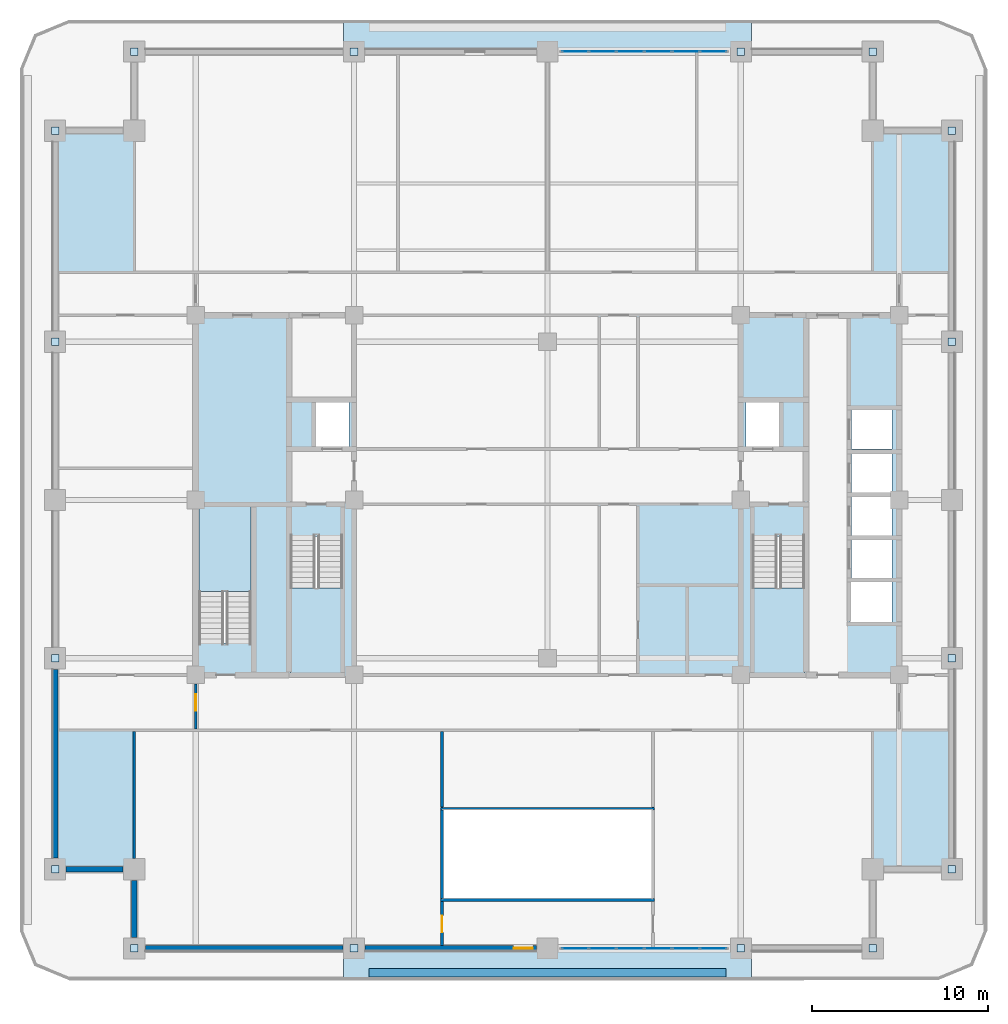
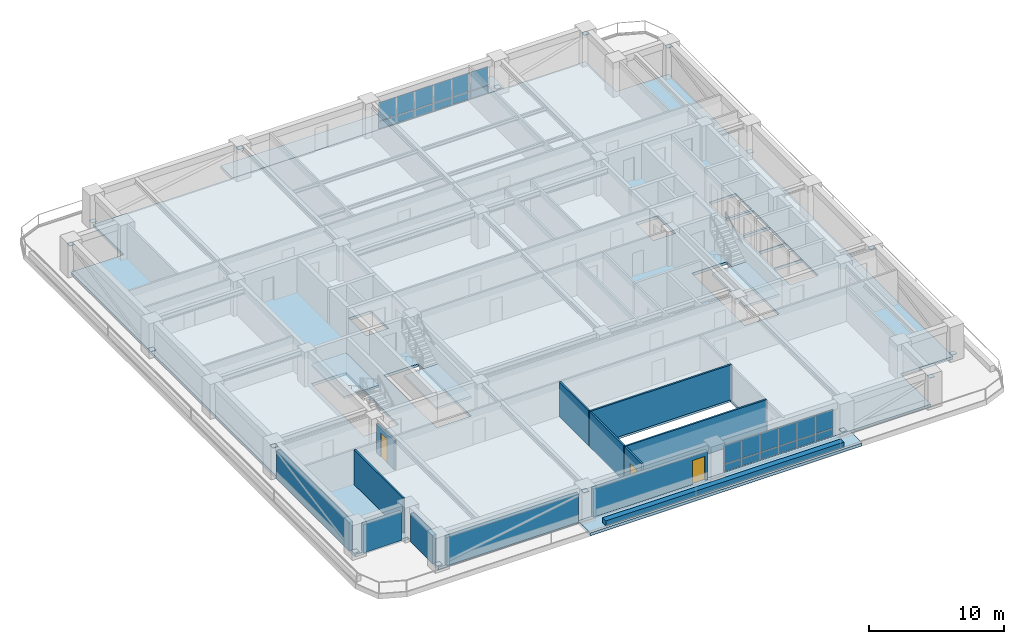
# One storey, part 7 of 17: 40 plates, 13 walls, 6 slabs, 3 doors, 3 openings, 5 elements without a shape of their own.
"""IFC4 building model written with IfcOpenShell, lengths in metres."""

import ifcopenshell
import ifcopenshell.guid

model = None  # the IFC model being written
_history = None  # IfcOwnerHistory: only IFC2X3 demands one
_inside = {}  # id of a spatial element -> (the spatial element, [elements in it])
_under = {}  # id of a project, library or spatial element -> (it, [spatial elements below it])
_declared = {}  # id of a project -> (the project, [libraries it declares])
_typed = {}  # id of a type object -> (the type object, [elements of that type])
_made_of = {}  # id of a material, layer set ... -> (it, [elements and type objects made of it])


def new_model(schema):
    """Start an empty IFC model of exactly this schema.

    Asked for "IFC4X3", IfcOpenShell would pick the latest addendum, in which some entities
    have other attributes; the version numbers below select the first issue.
    IFC2X3 requires an IfcOwnerHistory on every rooted entity: one is made here for all.
    """
    global model, _history
    if schema == "IFC4X3":
        model = ifcopenshell.file(schema_version=(4, 3, 0, 0))
    else:
        model = ifcopenshell.file(schema=schema)
    _inside.clear()
    _under.clear()
    _declared.clear()
    _typed.clear()
    _made_of.clear()
    _history = None
    if model.schema == "IFC2X3":
        org = make("IfcOrganization", Name="unknown")
        user = make(
            "IfcPersonAndOrganization",
            ThePerson=make("IfcPerson", FamilyName="unknown"),
            TheOrganization=org,
        )
        app = make(
            "IfcApplication",
            ApplicationDeveloper=org,
            Version="unknown",
            ApplicationFullName="unknown",
            ApplicationIdentifier="unknown",
        )
        _history = make(
            "IfcOwnerHistory",
            OwningUser=user,
            OwningApplication=app,
            ChangeAction="ADDED",
            CreationDate=0,
        )
    return model


def make(cls, **values):
    """One entity of the class cls with the attributes given. An attribute that is None is left unset."""
    return model.create_entity(
        cls, **{name: value for name, value in values.items() if value is not None}
    )


def rooted(cls, **values):
    """An entity with a GlobalId (a new one), such as an element, a storey or a relation."""
    return make(cls, GlobalId=ifcopenshell.guid.new(), OwnerHistory=_history, **values)


def si_unit(unit_type, name, prefix=None):
    """IfcSIUnit, for example si_unit("LENGTHUNIT", "METRE", prefix="MILLI")."""
    return make("IfcSIUnit", UnitType=unit_type, Prefix=prefix, Name=name)


def assignment(units):
    """IfcUnitAssignment: the units of a project."""
    return None if units is None else make("IfcUnitAssignment", Units=units)


def point(xyz):
    """IfcCartesianPoint."""
    return None if xyz is None else make("IfcCartesianPoint", Coordinates=xyz)


def direction(xyz):
    """IfcDirection."""
    return None if xyz is None else make("IfcDirection", DirectionRatios=xyz)


def frame(location, z_axis=None, x_axis=None):
    """IfcAxis2Placement3D, a coordinate frame: its origin and axes. An axis left out is left unset."""
    return make(
        "IfcAxis2Placement3D",
        Location=point(location),
        Axis=direction(z_axis),
        RefDirection=direction(x_axis),
    )


def frame_2d(location, x_axis=None):
    """IfcAxis2Placement2D, a coordinate frame in the plane: its origin and x axis."""
    return make(
        "IfcAxis2Placement2D", Location=point(location), RefDirection=direction(x_axis)
    )


def origin():
    """The frame at (0, 0, 0) with its axes left unset."""
    return frame((0.0, 0.0, 0.0))


def origin_2d():
    """The frame at (0, 0) in the plane with its x axis left unset."""
    return frame_2d((0.0, 0.0))


def place(relative_to, where):
    """IfcLocalPlacement: puts the frame where relative to a parent placement (None: the world)."""
    return make(
        "IfcLocalPlacement", PlacementRelTo=relative_to, RelativePlacement=where
    )


def context(
    kind, dimensions, precision=None, world=None, true_north=None, identifier=None
):
    """IfcGeometricRepresentationContext, for example the 3D "Model" context."""
    return make(
        "IfcGeometricRepresentationContext",
        ContextIdentifier=identifier,
        ContextType=kind,
        CoordinateSpaceDimension=dimensions,
        Precision=precision,
        WorldCoordinateSystem=world,
        TrueNorth=true_north,
    )


def subcontext(parent, identifier, kind, view, scale=None):
    """IfcGeometricRepresentationSubContext, for example "Body" below "Model"."""
    return make(
        "IfcGeometricRepresentationSubContext",
        ContextIdentifier=identifier,
        ContextType=kind,
        ParentContext=parent,
        TargetScale=scale,
        TargetView=view,
    )


def project(units=None, contexts=None):
    """IfcProject with its units and contexts."""
    return rooted(
        "IfcProject",
        Name="project",
        RepresentationContexts=contexts,
        UnitsInContext=assignment(units),
    )


def spatial(cls, under=None, at=None, **own):
    """A site, building, storey or space (cls), placed at a placement, below another one or the project."""
    s = rooted(cls, ObjectPlacement=at, **own)
    if under is not None:
        _under.setdefault(under.id(), (under, []))[1].append(s)
    return s


def polyline(points):
    """IfcPolyline through the points."""
    return make("IfcPolyline", Points=[point(p) for p in points])


def profile(cls, at=None, kind="AREA", **sizes):
    """A parametric profile (cls). Its sizes go by their IFC names, for example OverallWidth=200.0."""
    return make(cls, ProfileType=kind, Position=at, **sizes)


def rectangle(**sizes):
    """IfcRectangleProfileDef."""
    return profile("IfcRectangleProfileDef", **sizes)


def outline(outer, holes=None, kind="AREA"):
    """IfcArbitraryClosedProfileDef: a profile drawn as a closed curve; with holes, ...WithVoids."""
    if holes is None:
        return make("IfcArbitraryClosedProfileDef", ProfileType=kind, OuterCurve=outer)
    return make(
        "IfcArbitraryProfileDefWithVoids",
        ProfileType=kind,
        OuterCurve=outer,
        InnerCurves=holes,
    )


def extrude(swept, where, along, depth):
    """IfcExtrudedAreaSolid: the profile swept, set in the frame where, extruded along a direction by depth."""
    return make(
        "IfcExtrudedAreaSolid",
        SweptArea=swept,
        Position=where,
        ExtrudedDirection=direction(along),
        Depth=depth,
    )


def shape(context_of_items, identifier, shape_type, items):
    """IfcShapeRepresentation: the items that make up one representation, for example the "Body"."""
    return make(
        "IfcShapeRepresentation",
        ContextOfItems=context_of_items,
        RepresentationIdentifier=identifier,
        RepresentationType=shape_type,
        Items=items,
    )


def material(Name=None, Category=None):
    """IfcMaterial."""
    return make("IfcMaterial", Name=Name, Category=Category)


def layer(
    of_material, thickness, ventilated=None, Name=None, Category=None, Priority=None
):
    """IfcMaterialLayer: one layer of a wall or slab, of a material (None: an air gap)."""
    return make(
        "IfcMaterialLayer",
        Material=of_material,
        LayerThickness=thickness,
        IsVentilated=ventilated,
        Name=Name,
        Category=Category,
        Priority=Priority,
    )


def layer_set(layers, Name=None):
    """IfcMaterialLayerSet."""
    return make("IfcMaterialLayerSet", MaterialLayers=layers, LayerSetName=Name)


def made_of(thing, what):
    """Note that an element or type object is made of a material, layer set ...; save() writes the relation."""
    if what is not None:
        _made_of.setdefault(what.id(), (what, []))[1].append(thing)
    return thing


def type_object(cls, material=None, **own):
    """A type object (cls), such as IfcWallType, which elements share."""
    return made_of(rooted(cls, **own), material)


def element(
    cls,
    number,
    at=None,
    inside=None,
    cuts=None,
    type_object=None,
    material=None,
    context=None,
    identifier="Body",
    shape_type=None,
    held_by="IfcProductDefinitionShape",
    body=None,
    shapes=None,
    **own,
):
    """One element of the class cls, such as IfcWall. Its Tag is "e" and its number.

    at: its placement. inside: the storey or other place that contains it. cuts: it is an
    opening in that element (IfcRelVoidsElement). A single representation is given by context,
    identifier, shape_type and body (its items); several are given by shapes. held_by: the class
    of the entity that holds the representations. save() writes the other relations.
    """
    e = rooted(cls, Tag="e%d" % number, ObjectPlacement=at, **own)
    if body is not None:
        shapes = [shape(context, identifier, shape_type, body)]
    if shapes is not None:
        e.Representation = make(held_by, Representations=shapes)
    if inside is not None:
        _inside.setdefault(inside.id(), (inside, []))[1].append(e)
    if cuts is not None:
        rooted(
            "IfcRelVoidsElement", RelatingBuildingElement=cuts, RelatedOpeningElement=e
        )
    if type_object is not None:
        _typed.setdefault(type_object.id(), (type_object, []))[1].append(e)
    return made_of(e, material)


def fill(opening, filler):
    """IfcRelFillsElement: the door or window that sits in an opening."""
    return rooted(
        "IfcRelFillsElement",
        RelatingOpeningElement=opening,
        RelatedBuildingElement=filler,
    )


def aggregate(whole, parts):
    """IfcRelAggregates: a whole, such as a stair, and the parts it consists of."""
    return rooted("IfcRelAggregates", RelatingObject=whole, RelatedObjects=parts)


def save(model, path):
    """Write the relations noted so far, then the file.

    IfcRelAggregates (storeys below a building ...), IfcRelContainedInSpatialStructure (elements
    in a storey), IfcRelDefinesByType, IfcRelAssociatesMaterial and IfcRelDeclares: one each for
    every whole, place, type object, material and project.
    """
    for whole, parts in _under.values():
        aggregate(whole, parts)
    for where, things in _inside.values():
        rooted(
            "IfcRelContainedInSpatialStructure",
            RelatedElements=things,
            RelatingStructure=where,
        )
    for kind, things in _typed.values():
        rooted("IfcRelDefinesByType", RelatedObjects=things, RelatingType=kind)
    for what, things in _made_of.values():
        rooted("IfcRelAssociatesMaterial", RelatedObjects=things, RelatingMaterial=what)
    for by, libraries in _declared.values():
        rooted("IfcRelDeclares", RelatingContext=by, RelatedDefinitions=libraries)
    model.write(path)


model = new_model("IFC4")

# Units and contexts
model_context = context("Model", 3, precision=1e-05, world=origin(), true_north=direction((0.0, 1.0)))
body_context = subcontext(model_context, "Body", "Model", "MODEL_VIEW")
ifc_project = project(units=[si_unit("LENGTHUNIT", "METRE"), si_unit("AREAUNIT", "SQUARE_METRE"), si_unit("VOLUMEUNIT", "CUBIC_METRE"), si_unit("PLANEANGLEUNIT", "RADIAN"), si_unit("MASSUNIT", "GRAM", prefix="KILO")], contexts=[model_context])

# Site, building, storey
site_placement = place(None, origin())
site = spatial("IfcSite", under=ifc_project, at=site_placement, CompositionType="ELEMENT")
building_placement = place(site_placement, origin())
building = spatial("IfcBuilding", under=site, at=building_placement, Name="Zulmaris Gate Convention Tower", CompositionType="ELEMENT")
storey_placement = place(building_placement, frame((0.0, 0.0, 149.909912109375)))
storey = spatial("IfcBuildingStorey", under=building, at=storey_placement, Name="L38", CompositionType="ELEMENT", Elevation=149.909912109375)

# Curtain wall, plates
ifc_material_1 = material(Name="Anodised Aluminium", Category="aluminium")
curtain_wall_type = type_object("IfcCurtainWallType", Name="CW-06", PredefinedType="NOTDEFINED", material=ifc_material_1)
curtain_wall_1_placement = place(storey_placement, origin())
curtain_wall_1 = element("IfcCurtainWall", 1, at=curtain_wall_1_placement, inside=storey, type_object=curtain_wall_type, Name="CW-06 CW06-L38-S-2_0", PredefinedType="NOTDEFINED")
ifc_material_2 = material(Name="Low-E Double Glazing", Category="glass")
ifc_layer_1 = layer(ifc_material_2, 0.028076171875, Name="Low-E Double Glazing")
ifc_layer_set_1 = layer_set([ifc_layer_1], Name="Low-E Double Glazing")
plate_type_1 = type_object("IfcPlateType", Name="CW-06-VISION", PredefinedType="CURTAIN_PANEL", material=ifc_layer_set_1)
plate_1_placement = place(storey_placement, frame((1.56884765625, -25.5, 0.0751953125), z_axis=(0.0, 0.0, 1.0), x_axis=(1.0, 0.0, 0.0)))
plate_1 = element("IfcPlate", 2, at=plate_1_placement, type_object=plate_type_1, Name="CW-06 panel 1.1", PredefinedType="CURTAIN_PANEL", context=body_context, shape_type="SweptSolid", body=[
    extrude(rectangle(XDim=1.467529296875, YDim=0.028076171875, at=origin_2d()), origin(), (0.0, 0.0, 1.0), 0.637451171875),
])
plate_2_placement = place(storey_placement, frame((1.56884765625, -25.5, 0.78759765625), z_axis=(0.0, 0.0, 1.0), x_axis=(1.0, 0.0, 0.0)))
plate_2 = element("IfcPlate", 3, at=plate_2_placement, type_object=plate_type_1, Name="CW-06 panel 1.2", PredefinedType="CURTAIN_PANEL", context=body_context, shape_type="SweptSolid", body=[
    extrude(rectangle(XDim=1.467529296875, YDim=0.028076171875, at=origin_2d()), origin(), (0.0, 0.0, 1.0), 1.674560546875),
])
plate_3_placement = place(storey_placement, frame((3.1298828125, -25.5, 0.0751953125), z_axis=(0.0, 0.0, 1.0), x_axis=(1.0, 0.0, 0.0)))
plate_3 = element("IfcPlate", 4, at=plate_3_placement, type_object=plate_type_1, Name="CW-06 panel 2.1", PredefinedType="CURTAIN_PANEL", context=body_context, shape_type="SweptSolid", body=[
    extrude(rectangle(XDim=1.5048828125, YDim=0.028076171875, at=origin_2d()), origin(), (0.0, 0.0, 1.0), 0.637451171875),
])
plate_4_placement = place(storey_placement, frame((3.1298828125, -25.5, 0.78759765625), z_axis=(0.0, 0.0, 1.0), x_axis=(1.0, 0.0, 0.0)))
plate_4 = element("IfcPlate", 5, at=plate_4_placement, type_object=plate_type_1, Name="CW-06 panel 2.2", PredefinedType="CURTAIN_PANEL", context=body_context, shape_type="SweptSolid", body=[
    extrude(rectangle(XDim=1.5048828125, YDim=0.028076171875, at=origin_2d()), origin(), (0.0, 0.0, 1.0), 1.674560546875),
])
plate_5_placement = place(storey_placement, frame((4.7099609375, -25.5, 0.0751953125), z_axis=(0.0, 0.0, 1.0), x_axis=(1.0, 0.0, 0.0)))
plate_5 = element("IfcPlate", 6, at=plate_5_placement, type_object=plate_type_1, Name="CW-06 panel 3.1", PredefinedType="CURTAIN_PANEL", context=body_context, shape_type="SweptSolid", body=[
    extrude(rectangle(XDim=1.5048828125, YDim=0.028076171875, at=origin_2d()), origin(), (0.0, 0.0, 1.0), 0.637451171875),
])
plate_6_placement = place(storey_placement, frame((4.7099609375, -25.5, 0.78759765625), z_axis=(0.0, 0.0, 1.0), x_axis=(1.0, 0.0, 0.0)))
plate_6 = element("IfcPlate", 7, at=plate_6_placement, type_object=plate_type_1, Name="CW-06 panel 3.2", PredefinedType="CURTAIN_PANEL", context=body_context, shape_type="SweptSolid", body=[
    extrude(rectangle(XDim=1.5048828125, YDim=0.028076171875, at=origin_2d()), origin(), (0.0, 0.0, 1.0), 1.674560546875),
])
plate_7_placement = place(storey_placement, frame((6.2900390625, -25.5, 0.0751953125), z_axis=(0.0, 0.0, 1.0), x_axis=(1.0, 0.0, 0.0)))
plate_7 = element("IfcPlate", 8, at=plate_7_placement, type_object=plate_type_1, Name="CW-06 panel 4.1", PredefinedType="CURTAIN_PANEL", context=body_context, shape_type="SweptSolid", body=[
    extrude(rectangle(XDim=1.5048828125, YDim=0.028076171875, at=origin_2d()), origin(), (0.0, 0.0, 1.0), 0.637451171875),
])
plate_8_placement = place(storey_placement, frame((6.2900390625, -25.5, 0.78759765625), z_axis=(0.0, 0.0, 1.0), x_axis=(1.0, 0.0, 0.0)))
plate_8 = element("IfcPlate", 9, at=plate_8_placement, type_object=plate_type_1, Name="CW-06 panel 4.2", PredefinedType="CURTAIN_PANEL", context=body_context, shape_type="SweptSolid", body=[
    extrude(rectangle(XDim=1.5048828125, YDim=0.028076171875, at=origin_2d()), origin(), (0.0, 0.0, 1.0), 1.674560546875),
])
plate_9_placement = place(storey_placement, frame((7.8701171875, -25.5, 0.0751953125), z_axis=(0.0, 0.0, 1.0), x_axis=(1.0, 0.0, 0.0)))
plate_9 = element("IfcPlate", 10, at=plate_9_placement, type_object=plate_type_1, Name="CW-06 panel 5.1", PredefinedType="CURTAIN_PANEL", context=body_context, shape_type="SweptSolid", body=[
    extrude(rectangle(XDim=1.5048828125, YDim=0.028076171875, at=origin_2d()), origin(), (0.0, 0.0, 1.0), 0.637451171875),
])
plate_10_placement = place(storey_placement, frame((7.8701171875, -25.5, 0.78759765625), z_axis=(0.0, 0.0, 1.0), x_axis=(1.0, 0.0, 0.0)))
plate_10 = element("IfcPlate", 11, at=plate_10_placement, type_object=plate_type_1, Name="CW-06 panel 5.2", PredefinedType="CURTAIN_PANEL", context=body_context, shape_type="SweptSolid", body=[
    extrude(rectangle(XDim=1.5048828125, YDim=0.028076171875, at=origin_2d()), origin(), (0.0, 0.0, 1.0), 1.674560546875),
])
plate_11_placement = place(storey_placement, frame((9.43115234375, -25.5, 0.0751953125), z_axis=(0.0, 0.0, 1.0), x_axis=(1.0, 0.0, 0.0)))
plate_11 = element("IfcPlate", 12, at=plate_11_placement, type_object=plate_type_1, Name="CW-06 panel 6.1", PredefinedType="CURTAIN_PANEL", context=body_context, shape_type="SweptSolid", body=[
    extrude(rectangle(XDim=1.467529296875, YDim=0.028076171875, at=origin_2d()), origin(), (0.0, 0.0, 1.0), 0.637451171875),
])
plate_12_placement = place(storey_placement, frame((9.43115234375, -25.5, 0.78759765625), z_axis=(0.0, 0.0, 1.0), x_axis=(1.0, 0.0, 0.0)))
plate_12 = element("IfcPlate", 13, at=plate_12_placement, type_object=plate_type_1, Name="CW-06 panel 6.2", PredefinedType="CURTAIN_PANEL", context=body_context, shape_type="SweptSolid", body=[
    extrude(rectangle(XDim=1.467529296875, YDim=0.028076171875, at=origin_2d()), origin(), (0.0, 0.0, 1.0), 1.674560546875),
])
aggregate(curtain_wall_1, [plate_1, plate_2, plate_3, plate_4, plate_5, plate_6, plate_7, plate_8, plate_9, plate_10, plate_11, plate_12])

curtain_wall_2_placement = place(storey_placement, origin())
curtain_wall_2 = element("IfcCurtainWall", 14, at=curtain_wall_2_placement, inside=storey, type_object=curtain_wall_type, Name="CW-06 CW06-L38-N-2_0", PredefinedType="NOTDEFINED")
plate_13_placement = place(storey_placement, frame((9.43115234375, 25.5, 0.0751953125), z_axis=(0.0, 0.0, 1.0), x_axis=(-1.0, 0.0, 0.0)))
plate_13 = element("IfcPlate", 15, at=plate_13_placement, type_object=plate_type_1, Name="CW-06 panel 1.1", PredefinedType="CURTAIN_PANEL", context=body_context, shape_type="SweptSolid", body=[
    extrude(rectangle(XDim=1.467529296875, YDim=0.028076171875, at=origin_2d()), origin(), (0.0, 0.0, 1.0), 0.637451171875),
])
plate_14_placement = place(storey_placement, frame((9.43115234375, 25.5, 0.78759765625), z_axis=(0.0, 0.0, 1.0), x_axis=(-1.0, 0.0, 0.0)))
plate_14 = element("IfcPlate", 16, at=plate_14_placement, type_object=plate_type_1, Name="CW-06 panel 1.2", PredefinedType="CURTAIN_PANEL", context=body_context, shape_type="SweptSolid", body=[
    extrude(rectangle(XDim=1.467529296875, YDim=0.028076171875, at=origin_2d()), origin(), (0.0, 0.0, 1.0), 1.674560546875),
])
plate_15_placement = place(storey_placement, frame((7.8701171875, 25.5, 0.0751953125), z_axis=(0.0, 0.0, 1.0), x_axis=(-1.0, 0.0, 0.0)))
plate_15 = element("IfcPlate", 17, at=plate_15_placement, type_object=plate_type_1, Name="CW-06 panel 2.1", PredefinedType="CURTAIN_PANEL", context=body_context, shape_type="SweptSolid", body=[
    extrude(rectangle(XDim=1.5048828125, YDim=0.028076171875, at=origin_2d()), origin(), (0.0, 0.0, 1.0), 0.637451171875),
])
plate_16_placement = place(storey_placement, frame((7.8701171875, 25.5, 0.78759765625), z_axis=(0.0, 0.0, 1.0), x_axis=(-1.0, 0.0, 0.0)))
plate_16 = element("IfcPlate", 18, at=plate_16_placement, type_object=plate_type_1, Name="CW-06 panel 2.2", PredefinedType="CURTAIN_PANEL", context=body_context, shape_type="SweptSolid", body=[
    extrude(rectangle(XDim=1.5048828125, YDim=0.028076171875, at=origin_2d()), origin(), (0.0, 0.0, 1.0), 1.674560546875),
])
plate_17_placement = place(storey_placement, frame((6.2900390625, 25.5, 0.0751953125), z_axis=(0.0, 0.0, 1.0), x_axis=(-1.0, 0.0, 0.0)))
plate_17 = element("IfcPlate", 19, at=plate_17_placement, type_object=plate_type_1, Name="CW-06 panel 3.1", PredefinedType="CURTAIN_PANEL", context=body_context, shape_type="SweptSolid", body=[
    extrude(rectangle(XDim=1.5048828125, YDim=0.028076171875, at=origin_2d()), origin(), (0.0, 0.0, 1.0), 0.637451171875),
])
plate_18_placement = place(storey_placement, frame((6.2900390625, 25.5, 0.78759765625), z_axis=(0.0, 0.0, 1.0), x_axis=(-1.0, 0.0, 0.0)))
plate_18 = element("IfcPlate", 20, at=plate_18_placement, type_object=plate_type_1, Name="CW-06 panel 3.2", PredefinedType="CURTAIN_PANEL", context=body_context, shape_type="SweptSolid", body=[
    extrude(rectangle(XDim=1.5048828125, YDim=0.028076171875, at=origin_2d()), origin(), (0.0, 0.0, 1.0), 1.674560546875),
])
plate_19_placement = place(storey_placement, frame((4.7099609375, 25.5, 0.0751953125), z_axis=(0.0, 0.0, 1.0), x_axis=(-1.0, 0.0, 0.0)))
plate_19 = element("IfcPlate", 21, at=plate_19_placement, type_object=plate_type_1, Name="CW-06 panel 4.1", PredefinedType="CURTAIN_PANEL", context=body_context, shape_type="SweptSolid", body=[
    extrude(rectangle(XDim=1.5048828125, YDim=0.028076171875, at=origin_2d()), origin(), (0.0, 0.0, 1.0), 0.637451171875),
])
plate_20_placement = place(storey_placement, frame((4.7099609375, 25.5, 0.78759765625), z_axis=(0.0, 0.0, 1.0), x_axis=(-1.0, 0.0, 0.0)))
plate_20 = element("IfcPlate", 22, at=plate_20_placement, type_object=plate_type_1, Name="CW-06 panel 4.2", PredefinedType="CURTAIN_PANEL", context=body_context, shape_type="SweptSolid", body=[
    extrude(rectangle(XDim=1.5048828125, YDim=0.028076171875, at=origin_2d()), origin(), (0.0, 0.0, 1.0), 1.674560546875),
])
plate_21_placement = place(storey_placement, frame((3.1298828125, 25.5, 0.0751953125), z_axis=(0.0, 0.0, 1.0), x_axis=(-1.0, 0.0, 0.0)))
plate_21 = element("IfcPlate", 23, at=plate_21_placement, type_object=plate_type_1, Name="CW-06 panel 5.1", PredefinedType="CURTAIN_PANEL", context=body_context, shape_type="SweptSolid", body=[
    extrude(rectangle(XDim=1.5048828125, YDim=0.028076171875, at=origin_2d()), origin(), (0.0, 0.0, 1.0), 0.637451171875),
])
plate_22_placement = place(storey_placement, frame((3.1298828125, 25.5, 0.78759765625), z_axis=(0.0, 0.0, 1.0), x_axis=(-1.0, 0.0, 0.0)))
plate_22 = element("IfcPlate", 24, at=plate_22_placement, type_object=plate_type_1, Name="CW-06 panel 5.2", PredefinedType="CURTAIN_PANEL", context=body_context, shape_type="SweptSolid", body=[
    extrude(rectangle(XDim=1.5048828125, YDim=0.028076171875, at=origin_2d()), origin(), (0.0, 0.0, 1.0), 1.674560546875),
])
plate_23_placement = place(storey_placement, frame((1.56884765625, 25.5, 0.0751953125), z_axis=(0.0, 0.0, 1.0), x_axis=(-1.0, 0.0, 0.0)))
plate_23 = element("IfcPlate", 25, at=plate_23_placement, type_object=plate_type_1, Name="CW-06 panel 6.1", PredefinedType="CURTAIN_PANEL", context=body_context, shape_type="SweptSolid", body=[
    extrude(rectangle(XDim=1.467529296875, YDim=0.028076171875, at=origin_2d()), origin(), (0.0, 0.0, 1.0), 0.637451171875),
])
plate_24_placement = place(storey_placement, frame((1.56884765625, 25.5, 0.78759765625), z_axis=(0.0, 0.0, 1.0), x_axis=(-1.0, 0.0, 0.0)))
plate_24 = element("IfcPlate", 26, at=plate_24_placement, type_object=plate_type_1, Name="CW-06 panel 6.2", PredefinedType="CURTAIN_PANEL", context=body_context, shape_type="SweptSolid", body=[
    extrude(rectangle(XDim=1.467529296875, YDim=0.028076171875, at=origin_2d()), origin(), (0.0, 0.0, 1.0), 1.674560546875),
])
aggregate(curtain_wall_2, [plate_13, plate_14, plate_15, plate_16, plate_17, plate_18, plate_19, plate_20, plate_21, plate_22, plate_23, plate_24])

# Plates
ifc_material_3 = material(Name="Steel S460", Category="steel")
ifc_layer_2 = layer(ifc_material_3, 0.02490234375, Name="Steel S460")
ifc_layer_set_2 = layer_set([ifc_layer_2], Name="Steel S460")
plate_type_2 = type_object("IfcPlateType", Name="NP-CAP-440", PredefinedType="USERDEFINED", material=ifc_layer_set_2)
for number, where, z_axis, x_axis, name in (
    (27, (-28.0, -21.0, 0.28759765625), (0.0, 0.0, 1.0), (1.0, 0.0, 0.0), "L38 Steel Node Plate PBR-L38-SW-W-CAP"),
    (28, (-28.0, -9.0, 2.5126953125), (0.0, 0.0, 1.0), (1.0, 0.0, 0.0), "L38 Steel Node Plate PBR-L38-SW-W-CAPB"),
    (29, (-28.0, 9.0, 0.28759765625), (0.0, 0.0, 1.0), (1.0, 0.0, 0.0), "L38 Steel Node Plate PBR-L38-NW-W-CAP"),
    (30, (-28.0, 21.0, 2.5126953125), (0.0, 0.0, 1.0), (1.0, 0.0, 0.0), "L38 Steel Node Plate PBR-L38-NW-W-CAPB"),
    (31, (23.0, -21.0, 0.28759765625), (0.0, 0.0, 1.0), (1.0, 0.0, 0.0), "L38 Steel Node Plate PBR-L38-SE-E-CAP"),
    (32, (23.0, -9.0, 2.5126953125), (0.0, 0.0, 1.0), (1.0, 0.0, 0.0), "L38 Steel Node Plate PBR-L38-SE-E-CAPB"),
    (33, (23.0, 9.0, 0.28759765625), (0.0, 0.0, 1.0), (1.0, 0.0, 0.0), "L38 Steel Node Plate PBR-L38-NE-E-CAP"),
    (34, (23.0, 21.0, 2.5126953125), (0.0, 0.0, 1.0), (1.0, 0.0, 0.0), "L38 Steel Node Plate PBR-L38-NE-E-CAPB"),
    (35, (-23.5, -25.5, 0.28759765625), (0.0, 0.0, 1.0), (1.0, 0.0, 0.0), "L38 Steel Node Plate PBR-L38-SW-S-CAP"),
    (36, (-11.0, -25.5, 2.5126953125), (0.0, 0.0, 1.0), (1.0, 0.0, 0.0), "L38 Steel Node Plate PBR-L38-SW-S-CAPB"),
    (37, (11.0, -25.5, 0.28759765625), (0.0, 0.0, 1.0), (1.0, 0.0, 0.0), "L38 Steel Node Plate PBR-L38-SE-S-CAP"),
    (38, (18.5, -25.5, 2.5126953125), (0.0, 0.0, 1.0), (1.0, 0.0, 0.0), "L38 Steel Node Plate PBR-L38-SE-S-CAPB"),
    (39, (-23.5, 25.5, 0.28759765625), (0.0, 0.0, 1.0), (1.0, 0.0, 0.0), "L38 Steel Node Plate PBR-L38-NW-N-CAP"),
    (40, (-11.0, 25.5, 2.5126953125), (0.0, 0.0, 1.0), (1.0, 0.0, 0.0), "L38 Steel Node Plate PBR-L38-NW-N-CAPB"),
    (41, (11.0, 25.5, 0.28759765625), (0.0, 0.0, 1.0), (1.0, 0.0, 0.0), "L38 Steel Node Plate PBR-L38-NE-N-CAP"),
    (42, (18.5, 25.5, 2.5126953125), (0.0, 0.0, 1.0), (1.0, 0.0, 0.0), "L38 Steel Node Plate PBR-L38-NE-N-CAPB"),
):
    element("IfcPlate", number, at=place(storey_placement, frame(where, z_axis=z_axis, x_axis=x_axis)), inside=storey, type_object=plate_type_2, Name=name, ObjectType="FLANGE PLATE", PredefinedType="USERDEFINED", context=body_context, shape_type="SweptSolid", body=[
        extrude(rectangle(XDim=0.43994140625, YDim=0.43994140625, at=origin_2d()), origin(), (0.0, 0.0, 1.0), 0.02490234375),
    ])

# Slabs
ifc_material_4 = material(Name="Precast concrete C50/60", Category="concrete")
ifc_layer_3 = layer(ifc_material_4, 0.260009765625, Name="Precast concrete C50/60")
ifc_layer_set_3 = layer_set([ifc_layer_3], Name="Precast concrete C50/60")
slab_type_1 = type_object("IfcSlabType", Name="SL-BAL-260", PredefinedType="FLOOR", material=ifc_layer_set_3)
slab_1_placement = place(storey_placement, frame((0.0, 0.0, -0.25)))
element("IfcSlab", 43, at=slab_1_placement, inside=storey, type_object=slab_type_1, Name="L38 South Tree-Balcony Planter Slab", PredefinedType="FLOOR", context=body_context, shape_type="SweptSolid", body=[
    extrude(outline(polyline([(-11.597900390625, -27.300048828125), (-11.597900390625, -25.5), (11.597900390625, -25.5), (11.597900390625, -27.300048828125), (-11.597900390625, -27.300048828125)])), origin(), (0.0, 0.0, 1.0), 0.260009765625),
])
slab_2_placement = place(storey_placement, frame((0.0, 0.0, -0.25)))
element("IfcSlab", 44, at=slab_2_placement, inside=storey, type_object=slab_type_1, Name="L38 North Tree-Balcony Planter Slab", PredefinedType="FLOOR", context=body_context, shape_type="SweptSolid", body=[
    extrude(outline(polyline([(11.597900390625, 27.300048828125), (11.597900390625, 25.5), (-11.597900390625, 25.5), (-11.597900390625, 27.300048828125), (11.597900390625, 27.300048828125)])), origin(), (0.0, 0.0, 1.0), 0.260009765625),
])
ifc_material_5 = material(Name="Concrete C50/60", Category="concrete")
ifc_layer_4 = layer(ifc_material_5, 0.25, Name="Concrete C50/60")
ifc_layer_set_4 = layer_set([ifc_layer_4], Name="Concrete C50/60")
slab_type_2 = type_object("IfcSlabType", Name="SL-FLR-250", PredefinedType="FLOOR", material=ifc_layer_set_4)
slab_3_placement = place(storey_placement, frame((0.0, 0.0, -0.25)))
element("IfcSlab", 45, at=slab_3_placement, inside=storey, type_object=slab_type_2, Name="L38 Shifted Notched-Square Structural Floor Slab", PredefinedType="FLOOR", context=body_context, shape_type="SweptSolid", body=[
    extrude(outline(polyline([(-23.5, -25.5), (18.5, -25.5), (18.5, -21.0), (23.0, -21.0), (23.0, 21.0), (18.5, 21.0), (18.5, 25.5), (-23.5, 25.5), (-23.5, 21.0), (-28.0, 21.0), (-28.0, -21.0), (-23.5, -21.0), (-23.5, -25.5)]), holes=[polyline([(-14.6201171875, -2.080078125), (-14.6201171875, -9.85009765625), (-11.659912109375, -9.85009765625), (-11.659912109375, -2.080078125), (-14.6201171875, -2.080078125)]), polyline([(11.659912109375, -2.080078125), (11.659912109375, -9.85009765625), (14.6201171875, -9.85009765625), (14.6201171875, -2.080078125), (11.659912109375, -2.080078125)]), polyline([(-16.860107421875, -8.1201171875), (-16.860107421875, -0.35009765625), (-19.820068359375, -0.35009765625), (-19.820068359375, -8.1201171875), (-16.860107421875, -8.1201171875)]), polyline([(-13.199951171875, 3.0), (-11.300048828125, 3.0), (-11.300048828125, 5.60009765625), (-13.199951171875, 5.60009765625), (-13.199951171875, 3.0)]), polyline([(11.300048828125, 3.0), (13.199951171875, 3.0), (13.199951171875, 5.60009765625), (11.300048828125, 5.60009765625), (11.300048828125, 3.0)]), polyline([(17.199951171875, -7.0), (19.60009765625, -7.0), (19.60009765625, -4.60009765625), (17.199951171875, -4.60009765625), (17.199951171875, -7.0)]), polyline([(17.300048828125, -4.5), (19.60009765625, -4.5), (19.60009765625, -2.199951171875), (17.300048828125, -2.199951171875), (17.300048828125, -4.5)]), polyline([(17.300048828125, -2.10009765625), (19.60009765625, -2.10009765625), (19.60009765625, 0.199951171875), (17.300048828125, 0.199951171875), (17.300048828125, -2.10009765625)]), polyline([(17.300048828125, 0.39990234375), (19.60009765625, 0.39990234375), (19.60009765625, 2.699951171875), (17.300048828125, 2.699951171875), (17.300048828125, 0.39990234375)]), polyline([(17.300048828125, 2.89990234375), (19.60009765625, 2.89990234375), (19.60009765625, 5.199951171875), (17.300048828125, 5.199951171875), (17.300048828125, 2.89990234375)]), polyline([(-6.0, -22.75), (6.0, -22.75), (6.0, -17.550048828125), (-6.0, -17.550048828125), (-6.0, -22.75)])]), origin(), (0.0, 0.0, 1.0), 0.25),
])

# Stair, slab
ifc_material_6 = material(Name="Concrete C45/55", Category="concrete")
stair_type = type_object("IfcStairType", Name="ST-CORE-DOGLEG", PredefinedType="HALF_TURN_STAIR", material=ifc_material_6)
stair_1_placement = place(storey_placement, origin())
stair_1 = element("IfcStair", 46, at=stair_1_placement, inside=storey, type_object=stair_type, Name="L38 Core Exit Stair ST-1", PredefinedType="HALF_TURN_STAIR")
ifc_layer_5 = layer(ifc_material_6, 0.199951171875, Name="Concrete C45/55")
ifc_layer_set_5 = layer_set([ifc_layer_5], Name="Concrete C45/55")
slab_type_3 = type_object("IfcSlabType", Name="SL-LND-200", PredefinedType="LANDING", material=ifc_layer_set_5)
slab_4_placement = place(storey_placement, frame((0.0, 0.0, 1.5849609375)))
slab_4 = element("IfcSlab", 47, at=slab_4_placement, type_object=slab_type_3, Name="ST-1 landing 1", PredefinedType="LANDING", context=body_context, shape_type="SweptSolid", body=[
    extrude(outline(polyline([(-14.6201171875, -5.0), (-14.6201171875, -9.85009765625), (-11.659912109375, -9.85009765625), (-11.659912109375, -5.0), (-14.6201171875, -5.0)])), origin(), (0.0, 0.0, 1.0), 0.2001953125),
])
aggregate(stair_1, [slab_4])

stair_2_placement = place(storey_placement, origin())
stair_2 = element("IfcStair", 48, at=stair_2_placement, inside=storey, type_object=stair_type, Name="L38 Core Exit Stair ST-2", PredefinedType="HALF_TURN_STAIR")
slab_5_placement = place(storey_placement, frame((0.0, 0.0, 1.5849609375)))
slab_5 = element("IfcSlab", 49, at=slab_5_placement, type_object=slab_type_3, Name="ST-2 landing 1", PredefinedType="LANDING", context=body_context, shape_type="SweptSolid", body=[
    extrude(outline(polyline([(11.659912109375, -5.0), (11.659912109375, -9.85009765625), (14.6201171875, -9.85009765625), (14.6201171875, -5.0), (11.659912109375, -5.0)])), origin(), (0.0, 0.0, 1.0), 0.2001953125),
])
aggregate(stair_2, [slab_5])

stair_3_placement = place(storey_placement, origin())
stair_3 = element("IfcStair", 50, at=stair_3_placement, inside=storey, type_object=stair_type, Name="L38 Core Exit Stair ST-3", PredefinedType="HALF_TURN_STAIR")
slab_6_placement = place(storey_placement, frame((0.0, 0.0, 1.5849609375)))
slab_6 = element("IfcSlab", 51, at=slab_6_placement, type_object=slab_type_3, Name="ST-3 landing 1", PredefinedType="LANDING", context=body_context, shape_type="SweptSolid", body=[
    extrude(outline(polyline([(-16.860107421875, -5.199951171875), (-16.860107421875, -0.35009765625), (-19.820068359375, -0.35009765625), (-19.820068359375, -5.199951171875), (-16.860107421875, -5.199951171875)])), origin(), (0.0, 0.0, 1.0), 0.2001953125),
])
aggregate(stair_3, [slab_6])

# Walls
ifc_material_7 = material(Name="Gypsum Metal Stud Partition")
ifc_layer_6 = layer(ifc_material_7, 0.14990234375, Name="Gypsum Metal Stud Partition")
ifc_layer_set_6 = layer_set([ifc_layer_6], Name="Gypsum Metal Stud Partition")
wall_type_1 = type_object("IfcWallType", Name="PART-150", PredefinedType="PARTITIONING", material=ifc_layer_set_6)
for number, where, z_axis, x_axis, name in (
    (52, (-6.074951171875, -22.75, 0.0), (0.0, 0.0, 1.0), (1.0, 0.0, 0.0), "WL-L38-021"),
    (53, (-6.074951171875, -17.550048828125, 0.0), (0.0, 0.0, 1.0), (1.0, 0.0, 0.0), "WL-L38-022"),
):
    element("IfcWall", number, at=place(storey_placement, frame(where, z_axis=z_axis, x_axis=x_axis)), inside=storey, type_object=wall_type_1, Name=name, PredefinedType="PARTITIONING", context=body_context, shape_type="SweptSolid", body=[
        extrude(rectangle(XDim=12.14990234375, YDim=0.14990234375, at=frame_2d((6.074951171875, 0.0))), origin(), (0.0, 0.0, 1.0), 3.14501953125),
    ])
wall_1_placement = place(storey_placement, frame((-23.5, -20.39404296875, 0.0), z_axis=(0.0, 0.0, 1.0), x_axis=(0.0, 1.0, 0.0)))
element("IfcWall", 54, at=wall_1_placement, inside=storey, type_object=wall_type_1, Name="WL-L38-070", PredefinedType="PARTITIONING", context=body_context, shape_type="SweptSolid", body=[
    extrude(rectangle(XDim=7.216064453125, YDim=0.14990234375, at=frame_2d((3.60791015625, 0.0))), origin(), (0.0, 0.0, 1.0), 3.14501953125),
])

# Wall, opening, door
wall_2_placement = place(storey_placement, frame((-20.0, -13.02197265625, 0.0), z_axis=(0.0, 0.0, 1.0), x_axis=(0.0, 1.0, 0.0)))
wall_2 = element("IfcWall", 55, at=wall_2_placement, inside=storey, type_object=wall_type_1, Name="WL-L38-072", PredefinedType="PARTITIONING", context=body_context, shape_type="SweptSolid", body=[
    extrude(rectangle(XDim=2.56591796875, YDim=0.14990234375, at=frame_2d((1.282958984375, 0.0))), origin(), (0.0, 0.0, 1.0), 2.635009765625),
])
opening_1_placement = place(wall_2_placement, frame((1.027099609375, 0.0, 0.0)))
opening_1 = element("IfcOpeningElement", 56, at=opening_1_placement, cuts=wall_2, Name="Opening D-11", PredefinedType="OPENING", context=body_context, shape_type="SweptSolid", body=[
    extrude(rectangle(XDim=0.949951171875, YDim=2.14990234375, at=frame_2d((0.47509765625, 1.074951171875))), frame((0.0, 0.0849609375, 0.0), z_axis=(0.0, -1.0, 0.0), x_axis=(1.0, 0.0, 0.0)), (0.0, 0.0, 1.0), 0.169921875),
])
ifc_material_8 = material(Name="Fire-Rated Timber", Category="wood")
door_type_1 = type_object("IfcDoorType", Name="DR-950-FD", OperationType="NOTDEFINED", PredefinedType="DOOR", material=ifc_material_8)
door_1_placement = place(opening_1_placement, origin())
door_1 = element("IfcDoor", 57, at=door_1_placement, inside=storey, type_object=door_type_1, Name="L38 SW Spur Door 38", OperationType="SINGLE_SWING_RIGHT", OverallHeight=2.14990234375, OverallWidth=0.949951171875, PredefinedType="DOOR", context=body_context, shape_type="SweptSolid", body=[
    extrude(rectangle(XDim=0.949951171875, YDim=2.14990234375, at=frame_2d((0.47509765625, 1.074951171875))), frame((0.0, 0.02490234375, 0.0), z_axis=(0.0, -1.0, 0.0), x_axis=(1.0, 0.0, 0.0)), (0.0, 0.0, 1.0), 0.050048828125),
])
fill(opening_1, door_1)

wall_3_placement = place(storey_placement, frame((-6.0, -25.3349609375, 0.0), z_axis=(0.0, 0.0, 1.0), x_axis=(0.0, 1.0, 0.0)))
wall_3 = element("IfcWall", 58, at=wall_3_placement, inside=storey, type_object=wall_type_1, Name="WL-L38-075", PredefinedType="PARTITIONING", context=body_context, shape_type="SweptSolid", body=[
    extrude(rectangle(XDim=2.507080078125, YDim=0.14990234375, at=frame_2d((1.25341796875, 0.0))), origin(), (0.0, 0.0, 1.0), 3.14501953125),
])
opening_2_placement = place(wall_3_placement, frame((0.739990234375, 0.0, 0.0)))
opening_2 = element("IfcOpeningElement", 59, at=opening_2_placement, cuts=wall_3, Name="Opening D-16", PredefinedType="OPENING", context=body_context, shape_type="SweptSolid", body=[
    extrude(rectangle(XDim=0.949951171875, YDim=2.14990234375, at=frame_2d((0.47509765625, 1.074951171875))), frame((0.0, 0.0849609375, 0.0), z_axis=(0.0, -1.0, 0.0), x_axis=(1.0, 0.0, 0.0)), (0.0, 0.0, 1.0), 0.169921875),
])
ifc_material_9 = material(Name="Veneered Hardwood Timber", Category="wood")
door_type_2 = type_object("IfcDoorType", Name="DR-950", OperationType="NOTDEFINED", PredefinedType="DOOR", material=ifc_material_9)
door_2_placement = place(opening_2_placement, origin())
door_2 = element("IfcDoor", 60, at=door_2_placement, inside=storey, type_object=door_type_2, Name="L38 Terrace Loggia West Door 26", OperationType="SINGLE_SWING_RIGHT", OverallHeight=2.14990234375, OverallWidth=0.949951171875, PredefinedType="DOOR", context=body_context, shape_type="SweptSolid", body=[
    extrude(rectangle(XDim=0.949951171875, YDim=2.14990234375, at=frame_2d((0.47509765625, 1.074951171875))), frame((0.0, 0.02490234375, 0.0), z_axis=(0.0, -1.0, 0.0), x_axis=(1.0, 0.0, 0.0)), (0.0, 0.0, 1.0), 0.050048828125),
])
fill(opening_2, door_2)

# Walls
wall_4_placement = place(storey_placement, frame((-6.0, -22.672119140625, 0.0), z_axis=(0.0, 0.0, 1.0), x_axis=(0.0, 1.0, 0.0)))
element("IfcWall", 61, at=wall_4_placement, inside=storey, type_object=wall_type_1, Name="WL-L38-076", PredefinedType="PARTITIONING", context=body_context, shape_type="SweptSolid", body=[
    extrude(rectangle(XDim=5.044189453125, YDim=0.14990234375, at=frame_2d((2.52197265625, 0.0))), origin(), (0.0, 0.0, 1.0), 3.14501953125),
])
wall_5_placement = place(storey_placement, frame((-6.0, -17.471923828125, 0.0), z_axis=(0.0, 0.0, 1.0), x_axis=(0.0, 1.0, 0.0)))
element("IfcWall", 62, at=wall_5_placement, inside=storey, type_object=wall_type_1, Name="WL-L38-077", PredefinedType="PARTITIONING", context=body_context, shape_type="SweptSolid", body=[
    extrude(rectangle(XDim=4.2939453125, YDim=0.14990234375, at=frame_2d((2.14697265625, 0.0))), origin(), (0.0, 0.0, 1.0), 3.14501953125),
])
ifc_material_10 = material(Name="Botanical Green Glazed Precast Concrete C40/50", Category="concrete")
ifc_layer_7 = layer(ifc_material_10, 0.419921875, Name="Botanical Green Glazed Precast Concrete C40/50")
ifc_layer_set_7 = layer_set([ifc_layer_7], Name="Botanical Green Glazed Precast Concrete C40/50")
wall_type_2 = type_object("IfcWallType", Name="PLANTER-CURB-200", PredefinedType="PARAPET", material=ifc_layer_set_7)
wall_6_placement = place(storey_placement, frame((-10.14990234375, -26.8798828125, -0.0400390625), z_axis=(0.0, 0.0, 1.0), x_axis=(1.0, 0.0, 0.0)))
element("IfcWall", 63, at=wall_6_placement, inside=storey, type_object=wall_type_2, Name="L38 Full-Length Balcony Tree Planter Trough", PredefinedType="PARAPET", context=body_context, shape_type="SweptSolid", body=[
    extrude(rectangle(XDim=20.2998046875, YDim=0.47998046875, at=frame_2d((10.14990234375, 0.0))), origin(), (0.0, 0.0, 1.0), 0.52001953125),
])
ifc_material_11 = material(Name="Precast concrete C40/50", Category="concrete")
ifc_layer_8 = layer(ifc_material_11, 0.300048828125, Name="Precast concrete C40/50")
ifc_layer_set_8 = layer_set([ifc_layer_8], Name="Precast concrete C40/50")
wall_type_3 = type_object("IfcWallType", Name="PRECAST-PIER-300", PredefinedType="STANDARD", material=ifc_layer_set_8)
for number, where, z_axis, x_axis, name in (
    (64, (-27.3701171875, -21.0, 0.0), (0.0, 0.0, 1.0), (1.0, 0.0, 0.0), "EW-L38-NOTCH-SW1_0"),
    (65, (-23.5, -21.6298828125, 0.0), (0.0, 0.0, 1.0), (0.0, -1.0, 0.0), "EW-L38-NOTCH-SW2_0"),
):
    element("IfcWall", number, at=place(storey_placement, frame(where, z_axis=z_axis, x_axis=x_axis)), inside=storey, type_object=wall_type_3, Name=name, PredefinedType="STANDARD", context=body_context, shape_type="SweptSolid", body=[
        extrude(rectangle(XDim=3.240234375, YDim=0.300048828125, at=frame_2d((1.6201171875, 0.0))), origin(), (0.0, 0.0, 1.0), 2.537109375),
    ])
wall_7_placement = place(storey_placement, frame((-22.8701171875, -25.5, 0.0), z_axis=(0.0, 0.0, 1.0), x_axis=(1.0, 0.0, 0.0)))
element("IfcWall", 66, at=wall_7_placement, inside=storey, type_object=wall_type_3, Name="EW-L38-S-0_0", PredefinedType="STANDARD", context=body_context, shape_type="SweptSolid", body=[
    extrude(rectangle(XDim=11.240234375, YDim=0.300048828125, at=frame_2d((5.6201171875, 0.0))), origin(), (0.0, 0.0, 1.0), 2.537109375),
])

# Wall, opening, door
wall_8_placement = place(storey_placement, frame((-10.3701171875, -25.5, 0.0), z_axis=(0.0, 0.0, 1.0), x_axis=(1.0, 0.0, 0.0)))
wall_8 = element("IfcWall", 67, at=wall_8_placement, inside=storey, type_object=wall_type_3, Name="EW-L38-S-1_0", PredefinedType="STANDARD", context=body_context, shape_type="SweptSolid", body=[
    extrude(rectangle(XDim=9.740234375, YDim=0.300048828125, at=frame_2d((4.8701171875, 0.0))), origin(), (0.0, 0.0, 1.0), 2.537109375),
])
opening_3_placement = place(wall_8_placement, frame((8.43994140625, 0.0, 0.0)))
opening_3 = element("IfcOpeningElement", 68, at=opening_3_placement, cuts=wall_8, Name="Opening D-04", PredefinedType="OPENING", context=body_context, shape_type="SweptSolid", body=[
    extrude(rectangle(XDim=1.10009765625, YDim=2.14990234375, at=frame_2d((0.550048828125, 1.074951171875))), frame((0.0, 0.16015625, 0.0), z_axis=(0.0, -1.0, 0.0), x_axis=(1.0, 0.0, 0.0)), (0.0, 0.0, 1.0), 0.320068359375),
])
ifc_material_12 = material(Name="Anodised Aluminium and Laminated Glass", Category="aluminium")
door_type_3 = type_object("IfcDoorType", Name="ED-1100", OperationType="SINGLE_SWING_RIGHT", PredefinedType="DOOR", material=ifc_material_12)
door_3_placement = place(opening_3_placement, origin())
door_3 = element("IfcDoor", 69, at=door_3_placement, inside=storey, type_object=door_type_3, Name="L38 S Planted Terrace Door", OperationType="SINGLE_SWING_RIGHT", OverallHeight=2.14990234375, OverallWidth=1.10009765625, PredefinedType="DOOR", context=body_context, shape_type="SweptSolid", body=[
    extrude(rectangle(XDim=1.10009765625, YDim=2.14990234375, at=frame_2d((0.550048828125, 1.074951171875))), frame((0.0, 0.02490234375, 0.0), z_axis=(0.0, -1.0, 0.0), x_axis=(1.0, 0.0, 0.0)), (0.0, 0.0, 1.0), 0.050048828125),
])
fill(opening_3, door_3)

# Wall
wall_9_placement = place(storey_placement, frame((-28.0, -9.6298828125, 0.0), z_axis=(0.0, 0.0, 1.0), x_axis=(0.0, -1.0, 0.0)))
element("IfcWall", 70, at=wall_9_placement, inside=storey, type_object=wall_type_3, Name="EW-L38-W-0_0", PredefinedType="STANDARD", context=body_context, shape_type="SweptSolid", body=[
    extrude(rectangle(XDim=10.740234375, YDim=0.300048828125, at=frame_2d((5.3701171875, 0.0))), origin(), (0.0, 0.0, 1.0), 2.537109375),
])

save(model, "model.ifc")
